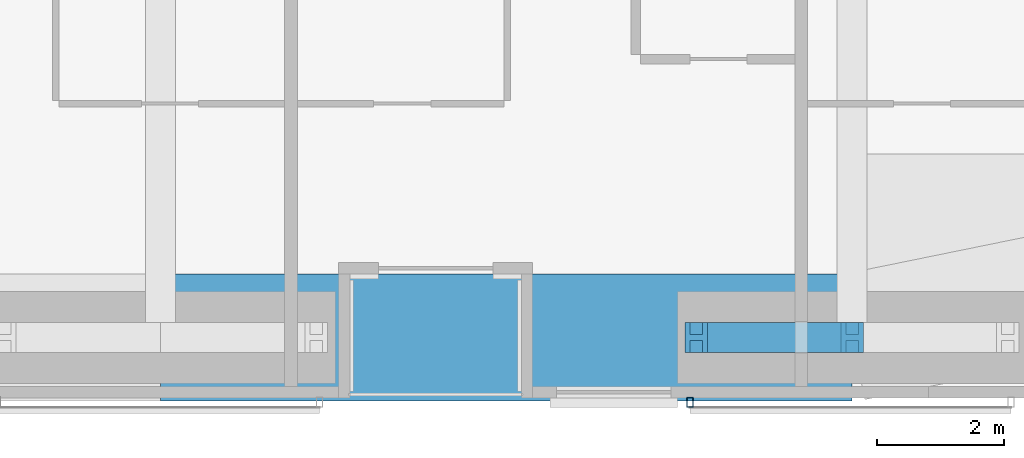
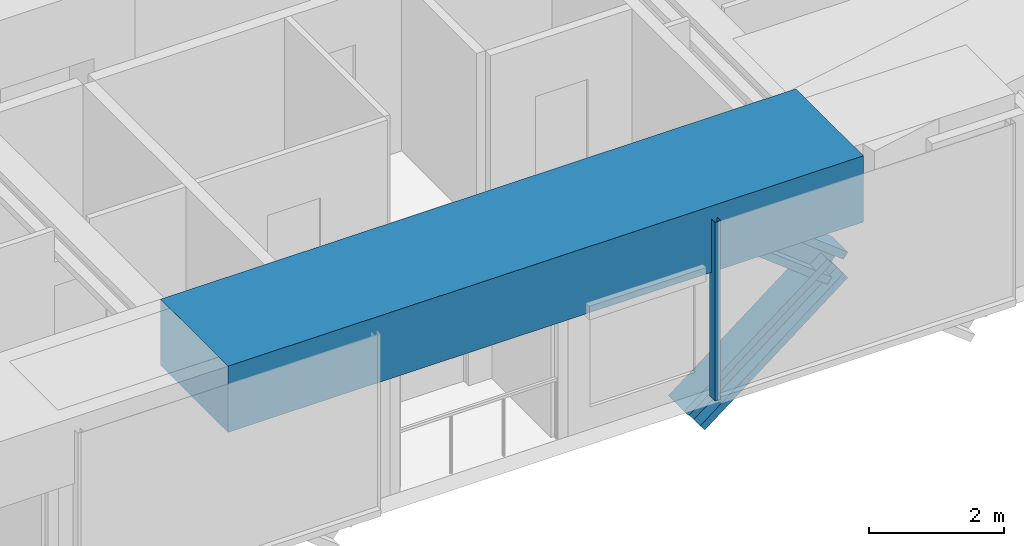
# One storey, part 5 of 23: 3 members, 1 beam, 1 element without a shape of its own.
"""IFC4 building model written with IfcOpenShell, lengths in metres."""

import ifcopenshell
import ifcopenshell.guid

model = None  # the IFC model being written
_history = None  # IfcOwnerHistory: only IFC2X3 demands one
_inside = {}  # id of a spatial element -> (the spatial element, [elements in it])
_under = {}  # id of a project, library or spatial element -> (it, [spatial elements below it])
_declared = {}  # id of a project -> (the project, [libraries it declares])
_typed = {}  # id of a type object -> (the type object, [elements of that type])
_made_of = {}  # id of a material, layer set ... -> (it, [elements and type objects made of it])


def new_model(schema):
    """Start an empty IFC model of exactly this schema.

    Asked for "IFC4X3", IfcOpenShell would pick the latest addendum, in which some entities
    have other attributes; the version numbers below select the first issue.
    IFC2X3 requires an IfcOwnerHistory on every rooted entity: one is made here for all.
    """
    global model, _history
    if schema == "IFC4X3":
        model = ifcopenshell.file(schema_version=(4, 3, 0, 0))
    else:
        model = ifcopenshell.file(schema=schema)
    _inside.clear()
    _under.clear()
    _declared.clear()
    _typed.clear()
    _made_of.clear()
    _history = None
    if model.schema == "IFC2X3":
        org = make("IfcOrganization", Name="unknown")
        user = make(
            "IfcPersonAndOrganization",
            ThePerson=make("IfcPerson", FamilyName="unknown"),
            TheOrganization=org,
        )
        app = make(
            "IfcApplication",
            ApplicationDeveloper=org,
            Version="unknown",
            ApplicationFullName="unknown",
            ApplicationIdentifier="unknown",
        )
        _history = make(
            "IfcOwnerHistory",
            OwningUser=user,
            OwningApplication=app,
            ChangeAction="ADDED",
            CreationDate=0,
        )
    return model


def make(cls, **values):
    """One entity of the class cls with the attributes given. An attribute that is None is left unset."""
    return model.create_entity(
        cls, **{name: value for name, value in values.items() if value is not None}
    )


def rooted(cls, **values):
    """An entity with a GlobalId (a new one), such as an element, a storey or a relation."""
    return make(cls, GlobalId=ifcopenshell.guid.new(), OwnerHistory=_history, **values)


def si_unit(unit_type, name, prefix=None):
    """IfcSIUnit, for example si_unit("LENGTHUNIT", "METRE", prefix="MILLI")."""
    return make("IfcSIUnit", UnitType=unit_type, Prefix=prefix, Name=name)


def assignment(units):
    """IfcUnitAssignment: the units of a project."""
    return None if units is None else make("IfcUnitAssignment", Units=units)


def point(xyz):
    """IfcCartesianPoint."""
    return None if xyz is None else make("IfcCartesianPoint", Coordinates=xyz)


def direction(xyz):
    """IfcDirection."""
    return None if xyz is None else make("IfcDirection", DirectionRatios=xyz)


def frame(location, z_axis=None, x_axis=None):
    """IfcAxis2Placement3D, a coordinate frame: its origin and axes. An axis left out is left unset."""
    return make(
        "IfcAxis2Placement3D",
        Location=point(location),
        Axis=direction(z_axis),
        RefDirection=direction(x_axis),
    )


def frame_2d(location, x_axis=None):
    """IfcAxis2Placement2D, a coordinate frame in the plane: its origin and x axis."""
    return make(
        "IfcAxis2Placement2D", Location=point(location), RefDirection=direction(x_axis)
    )


def origin():
    """The frame at (0, 0, 0) with its axes left unset."""
    return frame((0.0, 0.0, 0.0))


def origin_2d():
    """The frame at (0, 0) in the plane with its x axis left unset."""
    return frame_2d((0.0, 0.0))


def place(relative_to, where):
    """IfcLocalPlacement: puts the frame where relative to a parent placement (None: the world)."""
    return make(
        "IfcLocalPlacement", PlacementRelTo=relative_to, RelativePlacement=where
    )


def context(
    kind, dimensions, precision=None, world=None, true_north=None, identifier=None
):
    """IfcGeometricRepresentationContext, for example the 3D "Model" context."""
    return make(
        "IfcGeometricRepresentationContext",
        ContextIdentifier=identifier,
        ContextType=kind,
        CoordinateSpaceDimension=dimensions,
        Precision=precision,
        WorldCoordinateSystem=world,
        TrueNorth=true_north,
    )


def subcontext(parent, identifier, kind, view, scale=None):
    """IfcGeometricRepresentationSubContext, for example "Body" below "Model"."""
    return make(
        "IfcGeometricRepresentationSubContext",
        ContextIdentifier=identifier,
        ContextType=kind,
        ParentContext=parent,
        TargetScale=scale,
        TargetView=view,
    )


def project(units=None, contexts=None):
    """IfcProject with its units and contexts."""
    return rooted(
        "IfcProject",
        Name="project",
        RepresentationContexts=contexts,
        UnitsInContext=assignment(units),
    )


def spatial(cls, under=None, at=None, **own):
    """A site, building, storey or space (cls), placed at a placement, below another one or the project."""
    s = rooted(cls, ObjectPlacement=at, **own)
    if under is not None:
        _under.setdefault(under.id(), (under, []))[1].append(s)
    return s


def profile(cls, at=None, kind="AREA", **sizes):
    """A parametric profile (cls). Its sizes go by their IFC names, for example OverallWidth=200.0."""
    return make(cls, ProfileType=kind, Position=at, **sizes)


def rectangle(**sizes):
    """IfcRectangleProfileDef."""
    return profile("IfcRectangleProfileDef", **sizes)


def hollow_rectangle(**sizes):
    """IfcRectangleHollowProfileDef."""
    return profile("IfcRectangleHollowProfileDef", **sizes)


def i_section(**sizes):
    """IfcIShapeProfileDef."""
    return profile("IfcIShapeProfileDef", **sizes)


def extrude(swept, where, along, depth):
    """IfcExtrudedAreaSolid: the profile swept, set in the frame where, extruded along a direction by depth."""
    return make(
        "IfcExtrudedAreaSolid",
        SweptArea=swept,
        Position=where,
        ExtrudedDirection=direction(along),
        Depth=depth,
    )


def shape(context_of_items, identifier, shape_type, items):
    """IfcShapeRepresentation: the items that make up one representation, for example the "Body"."""
    return make(
        "IfcShapeRepresentation",
        ContextOfItems=context_of_items,
        RepresentationIdentifier=identifier,
        RepresentationType=shape_type,
        Items=items,
    )


def material(Name=None, Category=None):
    """IfcMaterial."""
    return make("IfcMaterial", Name=Name, Category=Category)


def material_profile(
    of_material, cross_section, Name=None, Category=None, Priority=None
):
    """IfcMaterialProfile: a cross section and its material."""
    return make(
        "IfcMaterialProfile",
        Name=Name,
        Material=of_material,
        Profile=cross_section,
        Priority=Priority,
        Category=Category,
    )


def profile_set(profiles, Name=None, composite=None):
    """IfcMaterialProfileSet."""
    return make(
        "IfcMaterialProfileSet",
        Name=Name,
        MaterialProfiles=profiles,
        CompositeProfile=composite,
    )


def made_of(thing, what):
    """Note that an element or type object is made of a material, layer set ...; save() writes the relation."""
    if what is not None:
        _made_of.setdefault(what.id(), (what, []))[1].append(thing)
    return thing


def type_object(cls, material=None, **own):
    """A type object (cls), such as IfcWallType, which elements share."""
    return made_of(rooted(cls, **own), material)


def element(
    cls,
    number,
    at=None,
    inside=None,
    cuts=None,
    type_object=None,
    material=None,
    context=None,
    identifier="Body",
    shape_type=None,
    held_by="IfcProductDefinitionShape",
    body=None,
    shapes=None,
    **own,
):
    """One element of the class cls, such as IfcWall. Its Tag is "e" and its number.

    at: its placement. inside: the storey or other place that contains it. cuts: it is an
    opening in that element (IfcRelVoidsElement). A single representation is given by context,
    identifier, shape_type and body (its items); several are given by shapes. held_by: the class
    of the entity that holds the representations. save() writes the other relations.
    """
    e = rooted(cls, Tag="e%d" % number, ObjectPlacement=at, **own)
    if body is not None:
        shapes = [shape(context, identifier, shape_type, body)]
    if shapes is not None:
        e.Representation = make(held_by, Representations=shapes)
    if inside is not None:
        _inside.setdefault(inside.id(), (inside, []))[1].append(e)
    if cuts is not None:
        rooted(
            "IfcRelVoidsElement", RelatingBuildingElement=cuts, RelatedOpeningElement=e
        )
    if type_object is not None:
        _typed.setdefault(type_object.id(), (type_object, []))[1].append(e)
    return made_of(e, material)


def aggregate(whole, parts):
    """IfcRelAggregates: a whole, such as a stair, and the parts it consists of."""
    return rooted("IfcRelAggregates", RelatingObject=whole, RelatedObjects=parts)


def save(model, path):
    """Write the relations noted so far, then the file.

    IfcRelAggregates (storeys below a building ...), IfcRelContainedInSpatialStructure (elements
    in a storey), IfcRelDefinesByType, IfcRelAssociatesMaterial and IfcRelDeclares: one each for
    every whole, place, type object, material and project.
    """
    for whole, parts in _under.values():
        aggregate(whole, parts)
    for where, things in _inside.values():
        rooted(
            "IfcRelContainedInSpatialStructure",
            RelatedElements=things,
            RelatingStructure=where,
        )
    for kind, things in _typed.values():
        rooted("IfcRelDefinesByType", RelatedObjects=things, RelatingType=kind)
    for what, things in _made_of.values():
        rooted("IfcRelAssociatesMaterial", RelatedObjects=things, RelatingMaterial=what)
    for by, libraries in _declared.values():
        rooted("IfcRelDeclares", RelatingContext=by, RelatedDefinitions=libraries)
    model.write(path)


model = new_model("IFC4")

# Units and contexts
model_context = context("Model", 3, precision=1e-05, world=origin(), true_north=direction((0.0, 1.0)))
body_context = subcontext(model_context, "Body", "Model", "MODEL_VIEW")
ifc_project = project(units=[si_unit("LENGTHUNIT", "METRE"), si_unit("AREAUNIT", "SQUARE_METRE"), si_unit("VOLUMEUNIT", "CUBIC_METRE"), si_unit("PLANEANGLEUNIT", "RADIAN"), si_unit("MASSUNIT", "GRAM", prefix="KILO")], contexts=[model_context])

# Site, building, storey
site_placement = place(None, origin())
site = spatial("IfcSite", under=ifc_project, at=site_placement, CompositionType="ELEMENT")
building_placement = place(site_placement, origin())
building = spatial("IfcBuilding", under=site, at=building_placement, Name="Jalousie Tower", CompositionType="ELEMENT")
storey_placement = place(building_placement, frame((0.0, 0.0, 84.75)))
storey = spatial("IfcBuildingStorey", under=building, at=storey_placement, Name="L22", CompositionType="ELEMENT", Elevation=84.75)

# Members
ifc_material_1 = material(Name="Steel ASTM A992 Grade 50", Category="steel")
ifc_material_profile_1 = material_profile(ifc_material_1, i_section(OverallWidth=0.472412109375, OverallDepth=0.5791015625, WebThickness=0.094970703125, FlangeThickness=0.1298828125, at=origin_2d()), Name="W14X808")
ifc_profile_set_1 = profile_set([ifc_material_profile_1], Name="Steel ASTM A992 Grade 50")
member_type_1 = type_object("IfcMemberType", Name="PERIMETER BRACE W14X808", PredefinedType="BRACE", material=ifc_profile_set_1)
for number, where, z_axis, x_axis, name in (
    (1, (36.175048828125, 0.949951171875, -1.050048828125), (0.790191006211, 0.0, 0.612860647866), (0.0, 1.0, 0.0), "Perimeter brace 04 L22 part 1"),
    (2, (38.625, 0.949951171875, 0.85009765625), (-0.790229140184, 0.0, 0.612811476723), (0.0, -1.0, 0.0), "Perimeter brace 04 L22 part 4"),
):
    element("IfcMember", number, at=place(storey_placement, frame(where, z_axis=z_axis, x_axis=x_axis)), inside=storey, type_object=member_type_1, Name=name, PredefinedType="BRACE", context=body_context, shape_type="SweptSolid", body=[
        extrude(i_section(OverallWidth=0.472412109375, OverallDepth=0.5791015625, WebThickness=0.094970703125, FlangeThickness=0.1298828125, at=origin_2d()), origin(), (0.0, 0.0, 1.0), 3.100341796875),
    ])

# Beam
ifc_material_2 = material(Name="Concrete f'c 40 MPa", Category="concrete")
ifc_material_profile_2 = material_profile(ifc_material_2, rectangle(XDim=2.0, YDim=1.199951171875, at=origin_2d()), Name="RC 2000x1200")
ifc_profile_set_2 = profile_set([ifc_material_profile_2], Name="Concrete f'c 40 MPa")
beam_type = type_object("IfcBeamType", Name="RC BEAM 2000x1200", PredefinedType="BEAM", material=ifc_profile_set_2)
beam_placement = place(storey_placement, frame((27.75, 0.949951171875, 2.75), z_axis=(1.0, 0.0, 0.0), x_axis=(0.0, 1.0, 0.0)))
element("IfcBeam", 3, at=beam_placement, inside=storey, type_object=beam_type, Name="Edge band beam 03-04 under L23", PredefinedType="BEAM", context=body_context, shape_type="SweptSolid", body=[
    extrude(rectangle(XDim=2.0, YDim=1.199951171875, at=origin_2d()), origin(), (0.0, 0.0, 1.0), 10.875),
])

# Curtain wall, member
ifc_material_3 = material(Name="Perforated aluminium sheet", Category="aluminium")
curtain_wall_type = type_object("IfcCurtainWallType", Name="SOLAR SCREEN SS-1", PredefinedType="USERDEFINED", material=ifc_material_3)
curtain_wall_placement = place(storey_placement, origin())
curtain_wall = element("IfcCurtainWall", 4, at=curtain_wall_placement, inside=storey, type_object=curtain_wall_type, Name="Solar screen L22", ObjectType="SOLAR SCREEN SS-1", PredefinedType="USERDEFINED")
ifc_material_4 = material(Name="Steel ASTM A500 Grade C", Category="steel")
ifc_material_profile_3 = material_profile(ifc_material_4, hollow_rectangle(XDim=0.1015625, YDim=0.15234375, WallThickness=0.00634765625, at=origin_2d()), Name="HSS6X4X1/4")
ifc_profile_set_3 = profile_set([ifc_material_profile_3], Name="Steel ASTM A500 Grade C")
member_type_2 = type_object("IfcMemberType", Name="SOLAR SCREEN SS-1 MULLION", PredefinedType="MULLION", material=ifc_profile_set_3)
member_placement = place(storey_placement, frame((36.074951171875, -0.0712890625, -0.1201171875), z_axis=(0.0, 0.0, 1.0), x_axis=(1.0, 0.0, 0.0)))
member = element("IfcMember", 5, at=member_placement, type_object=member_type_2, Name="SS1 post 1", PredefinedType="MULLION", context=body_context, shape_type="SweptSolid", body=[
    extrude(hollow_rectangle(XDim=0.1015625, YDim=0.15234375, WallThickness=0.00634765625, at=origin_2d()), origin(), (0.0, 0.0, 1.0), 3.230224609375),
])
aggregate(curtain_wall, [member])

save(model, "model.ifc")
